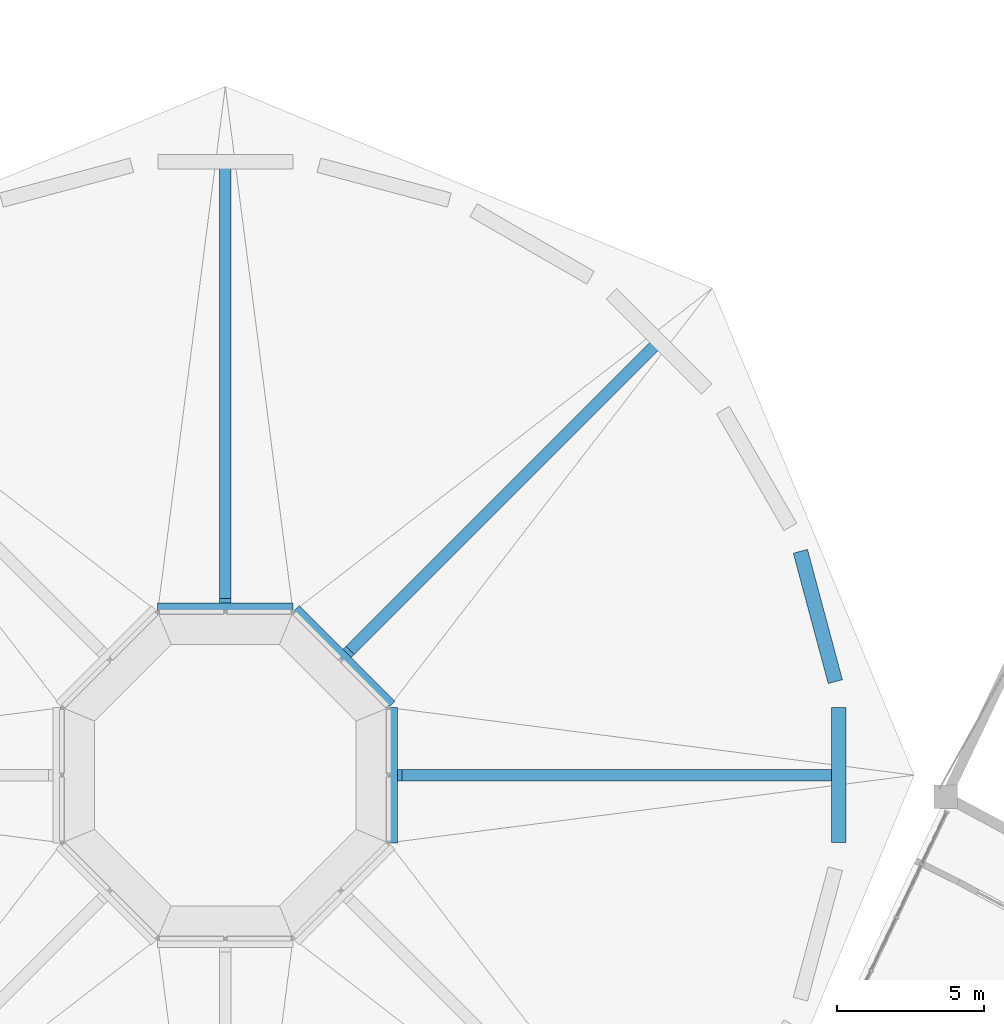
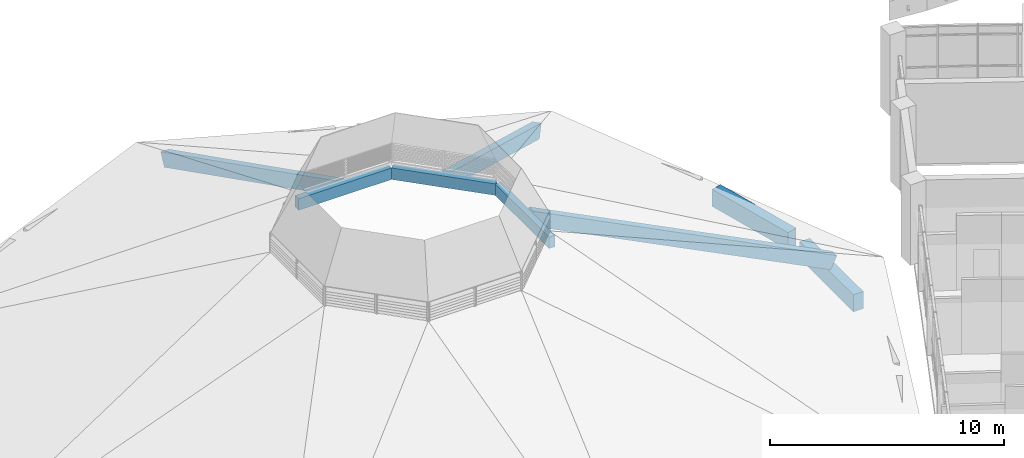
# One storey, part 12 of 137: 6 members, 2 beams.
"""IFC4 building model written with IfcOpenShell, lengths in metres."""

from ifc_helpers import new_model, si_unit, direction, frame, origin, origin_2d, place, context, subcontext, project, spatial, rectangle, extrude, material, material_profile, profile_set, type_object, element, save


model = new_model("IFC4")

# Units and contexts
model_context = context("Model", 3, precision=1e-05, world=origin(), true_north=direction((0.0, 1.0)))
body_context = subcontext(model_context, "Body", "Model", "MODEL_VIEW")
ifc_project = project(units=[si_unit("LENGTHUNIT", "METRE"), si_unit("AREAUNIT", "SQUARE_METRE"), si_unit("VOLUMEUNIT", "CUBIC_METRE"), si_unit("PLANEANGLEUNIT", "RADIAN"), si_unit("MASSUNIT", "GRAM", prefix="KILO")], contexts=[model_context])

# Site, building, storey
site_placement = place(None, origin())
site = spatial("IfcSite", under=ifc_project, at=site_placement, CompositionType="ELEMENT")
building_placement = place(site_placement, origin())
building = spatial("IfcBuilding", under=site, at=building_placement, Name="Bougainvillea Quay General Hospital", CompositionType="ELEMENT")
storey_placement = place(building_placement, frame((0.0, 0.0, 16.800048828125)))
storey = spatial("IfcBuildingStorey", under=building, at=storey_placement, Name="L03", CompositionType="ELEMENT", Elevation=16.800048828125)

# Members
ifc_material = material(Name="Concrete C40", Category="concrete")
ifc_material_profile_1 = material_profile(ifc_material, rectangle(XDim=0.300048828125, YDim=0.60009765625, at=origin_2d()))
ifc_profile_set_1 = profile_set([ifc_material_profile_1], Name="Concrete C40")
member_type_1 = type_object("IfcMemberType", Name="RC BEAM 300x600 C40 MEMBER", PredefinedType="MEMBER", material=ifc_profile_set_1)
for number, where, z_axis, x_axis, name in (
    (1, (114.84912109375, 76.402099609375, 8.361572265625), (-0.707106781187, 0.707106781187, 0.0), (-0.707106781187, -0.707106781187, 0.0), "Beam ROOF-V1-LR-01"),
    (2, (111.49609375, 79.693115234375, 8.361572265625), (-1.0, 0.0, 0.0), (0.0, -1.0, 0.0), "Beam ROOF-V1-LR-02"),
):
    element("IfcMember", number, at=place(storey_placement, frame(where, z_axis=z_axis, x_axis=x_axis)), inside=storey, type_object=member_type_1, Name=name, PredefinedType="MEMBER", context=body_context, shape_type="SweptSolid", body=[
        extrude(rectangle(XDim=0.300048828125, YDim=0.60009765625, at=origin_2d()), origin(), (0.0, 0.0, 1.0), 4.592041015625),
    ])
member_1_placement = place(storey_placement, frame((114.89306640625, 71.7041015625, 8.361572265625), z_axis=(0.0, 1.0, 0.0), x_axis=(-1.0, 0.0, 0.0)))
element("IfcMember", 3, at=member_1_placement, inside=storey, type_object=member_type_1, Name="Beam ROOF-V1-LR-08", PredefinedType="MEMBER", context=body_context, shape_type="SweptSolid", body=[
    extrude(rectangle(XDim=0.300048828125, YDim=0.60009765625, at=origin_2d()), origin(), (0.0, 0.0, 1.0), 4.591796875),
])
ifc_material_profile_2 = material_profile(ifc_material, rectangle(XDim=0.39990234375, YDim=0.699951171875, at=origin_2d()))
ifc_profile_set_2 = profile_set([ifc_material_profile_2], Name="Concrete C40")
member_type_2 = type_object("IfcMemberType", Name="RC BEAM 400x700 C40 RAFTER", PredefinedType="RAFTER", material=ifc_profile_set_2)
for number, where, z_axis, x_axis, name in (
    (4, (130.02001953125, 74.0, 0.712646484375), (-0.892791806383, 0.0, 0.450469522228), (0.0, -1.0, 0.0), "Roof rib"),
    (5, (123.921875, 88.721923828125, 0.71240234375), (-0.631294073874, -0.631294073874, 0.450483722885), (0.707106781187, -0.707106781187, 0.0), "Roof rib"),
):
    element("IfcMember", number, at=place(storey_placement, frame(where, z_axis=z_axis, x_axis=x_axis)), inside=storey, type_object=member_type_2, Name=name, PredefinedType="RAFTER", context=body_context, shape_type="SweptSolid", body=[
        extrude(rectangle(XDim=0.39990234375, YDim=0.699951171875, at=origin_2d()), origin(), (0.0, 0.0, 1.0), 16.781005859375),
    ])
member_2_placement = place(storey_placement, frame((109.199951171875, 94.820068359375, 0.712646484375), z_axis=(0.0, -0.892794758576, 0.450463671188), x_axis=(1.0, 0.0, 0.0)))
element("IfcMember", 6, at=member_2_placement, inside=storey, type_object=member_type_2, Name="Roof rib", PredefinedType="RAFTER", context=body_context, shape_type="SweptSolid", body=[
    extrude(rectangle(XDim=0.39990234375, YDim=0.699951171875, at=origin_2d()), origin(), (0.0, 0.0, 1.0), 16.78125),
])

# Beams
ifc_material_profile_3 = material_profile(ifc_material, rectangle(XDim=0.5, YDim=0.89990234375, at=origin_2d()))
ifc_profile_set_3 = profile_set([ifc_material_profile_3], Name="Concrete C40")
beam_type = type_object("IfcBeamType", Name="RC BEAM 500x900 C40", PredefinedType="BEAM", material=ifc_profile_set_3)
beam_1_placement = place(storey_placement, frame((129.903564453125, 77.17578125, -0.0517578125), z_axis=(-0.258863043334, 0.965914035924, 0.0), x_axis=(-0.965914035924, -0.258863043334, 0.0)))
element("IfcBeam", 7, at=beam_1_placement, inside=storey, type_object=beam_type, Name="Beam ROOF-V1-ER-01", PredefinedType="BEAM", context=body_context, shape_type="SweptSolid", body=[
    extrude(rectangle(XDim=0.5, YDim=0.89990234375, at=origin_2d()), origin(), (0.0, 0.0, 1.0), 4.581787109375),
])
beam_2_placement = place(storey_placement, frame((130.02001953125, 71.708984375, -0.0517578125), z_axis=(0.0, 1.0, 0.0), x_axis=(-1.0, 0.0, 0.0)))
element("IfcBeam", 8, at=beam_2_placement, inside=storey, type_object=beam_type, Name="Beam ROOF-V1-ER-24", PredefinedType="BEAM", context=body_context, shape_type="SweptSolid", body=[
    extrude(rectangle(XDim=0.5, YDim=0.89990234375, at=origin_2d()), origin(), (0.0, 0.0, 1.0), 4.58203125),
])

save(model, "model.ifc")
